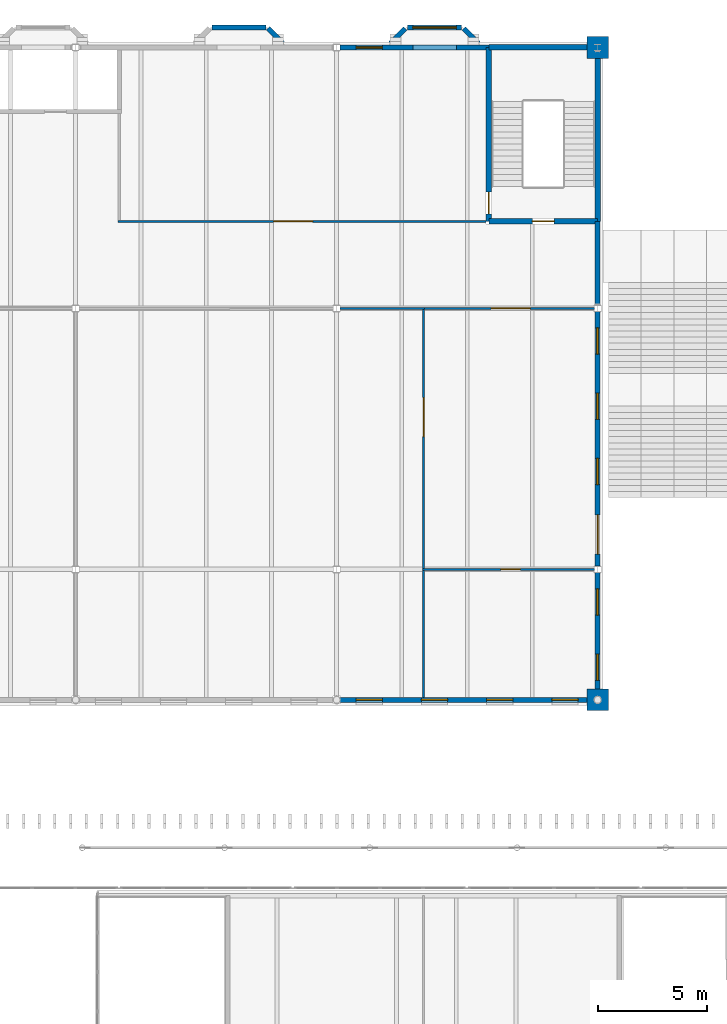
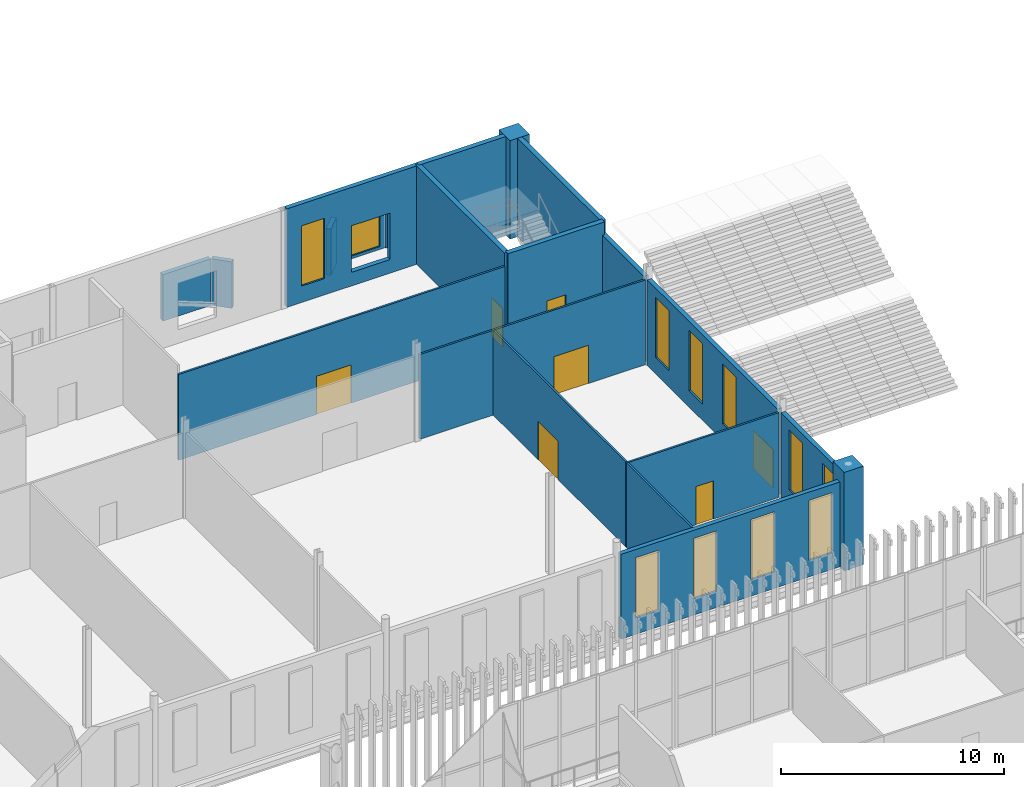
# One storey, part 113 of 170: 22 walls, 11 windows, 7 doors, 19 openings.
"""IFC4 building model written with IfcOpenShell, lengths in metres."""

from ifc_helpers import new_model, si_unit, direction, frame, frame_2d, origin, place, context, subcontext, project, spatial, rectangle, extrude, material, layer, layer_set, type_object, element, fill, save


model = new_model("IFC4")

# Units and contexts
model_context = context("Model", 3, precision=1e-05, world=origin(), true_north=direction((0.0, 1.0)))
body_context = subcontext(model_context, "Body", "Model", "MODEL_VIEW")
ifc_project = project(units=[si_unit("LENGTHUNIT", "METRE"), si_unit("AREAUNIT", "SQUARE_METRE"), si_unit("VOLUMEUNIT", "CUBIC_METRE"), si_unit("PLANEANGLEUNIT", "RADIAN"), si_unit("MASSUNIT", "GRAM", prefix="KILO")], contexts=[model_context])

# Site, building, storey
site_placement = place(None, origin())
site = spatial("IfcSite", under=ifc_project, at=site_placement, CompositionType="ELEMENT")
building_placement = place(site_placement, origin())
building = spatial("IfcBuilding", under=site, at=building_placement, Name="Ravi Spectrum Wholesale Market", CompositionType="ELEMENT")
storey_placement = place(building_placement, frame((0.0, 0.0, 5.39990234375)))
storey = spatial("IfcBuildingStorey", under=building, at=storey_placement, Name="L01", CompositionType="ELEMENT", Elevation=5.39990234375)

# Wall, openings, windows
ifc_material_1 = material(Name="Facing brickwork", Category="masonry")
ifc_layer_1 = layer(ifc_material_1, 0.22998046875)
ifc_layer_set_1 = layer_set([ifc_layer_1], Name="Facing brickwork")
wall_type_1 = type_object("IfcWallType", Name="Brick 230 facing", PredefinedType="SOLIDWALL", material=ifc_layer_set_1)
wall_1_placement = place(storey_placement, frame((48.14990234375, 204.0, 0.0), z_axis=(0.0, 0.0, 1.0), x_axis=(1.0, 0.0, 0.0)))
wall_1 = element("IfcWall", 1, at=wall_1_placement, inside=storey, type_object=wall_type_1, Name="OF-WL-L01-012", PredefinedType="SOLIDWALL", context=body_context, shape_type="SweptSolid", body=[
    extrude(rectangle(XDim=11.35009765625, YDim=0.22998046875, at=frame_2d((5.675048828125, 0.0))), origin(), (0.0, 0.0, 1.0), 4.650146484375),
])
opening_1_placement = place(wall_1_placement, frame((0.75, 0.0, 0.89990234375)))
opening_1 = element("IfcOpeningElement", 2, at=opening_1_placement, cuts=wall_1, Name="Opening W3233", PredefinedType="OPENING", context=body_context, shape_type="SweptSolid", body=[
    extrude(rectangle(XDim=1.199951171875, YDim=3.300048828125, at=frame_2d((0.60009765625, 1.64990234375))), frame((0.0, 0.125, 0.0), z_axis=(0.0, -1.0, 0.0), x_axis=(1.0, 0.0, 0.0)), (0.0, 0.0, 1.0), 0.25),
])
opening_2_placement = place(wall_1_placement, frame((3.75, 0.0, 0.89990234375)))
opening_2 = element("IfcOpeningElement", 3, at=opening_2_placement, cuts=wall_1, Name="Opening W3234", PredefinedType="OPENING", context=body_context, shape_type="SweptSolid", body=[
    extrude(rectangle(XDim=1.199951171875, YDim=3.300048828125, at=frame_2d((0.60009765625, 1.64990234375))), frame((0.0, 0.125, 0.0), z_axis=(0.0, -1.0, 0.0), x_axis=(1.0, 0.0, 0.0)), (0.0, 0.0, 1.0), 0.25),
])
opening_3_placement = place(wall_1_placement, frame((6.75, 0.0, 0.89990234375)))
opening_3 = element("IfcOpeningElement", 4, at=opening_3_placement, cuts=wall_1, Name="Opening W3235", PredefinedType="OPENING", context=body_context, shape_type="SweptSolid", body=[
    extrude(rectangle(XDim=1.199951171875, YDim=3.300048828125, at=frame_2d((0.60009765625, 1.64990234375))), frame((0.0, 0.125, 0.0), z_axis=(0.0, -1.0, 0.0), x_axis=(1.0, 0.0, 0.0)), (0.0, 0.0, 1.0), 0.25),
])
opening_4_placement = place(wall_1_placement, frame((9.75, 0.0, 0.89990234375)))
opening_4 = element("IfcOpeningElement", 5, at=opening_4_placement, cuts=wall_1, Name="Opening W3236", PredefinedType="OPENING", context=body_context, shape_type="SweptSolid", body=[
    extrude(rectangle(XDim=1.199951171875, YDim=3.300048828125, at=frame_2d((0.60009765625, 1.64990234375))), frame((0.0, 0.125, 0.0), z_axis=(0.0, -1.0, 0.0), x_axis=(1.0, 0.0, 0.0)), (0.0, 0.0, 1.0), 0.25),
])
ifc_material_2 = material(Name="Steel window frame", Category="steel")
window_type_1 = type_object("IfcWindowType", Name="Tall pier window with jali 1200 x 3300", PartitioningType="SINGLE_PANEL", PredefinedType="WINDOW", material=ifc_material_2)
window_1_placement = place(opening_1_placement, origin())
window_1 = element("IfcWindow", 6, at=window_1_placement, inside=storey, type_object=window_type_1, Name="Window W3233", OverallHeight=3.300048828125, OverallWidth=1.199951171875, PartitioningType="SINGLE_PANEL", PredefinedType="WINDOW", context=body_context, shape_type="SweptSolid", body=[
    extrude(rectangle(XDim=1.199951171875, YDim=3.300048828125, at=frame_2d((0.60009765625, 1.64990234375))), frame((0.0, 0.030029296875, 0.0), z_axis=(0.0, -1.0, 0.0), x_axis=(1.0, 0.0, 0.0)), (0.0, 0.0, 1.0), 0.06005859375),
])
fill(opening_1, window_1)
window_2_placement = place(opening_2_placement, origin())
window_2 = element("IfcWindow", 7, at=window_2_placement, inside=storey, type_object=window_type_1, Name="Window W3234", OverallHeight=3.300048828125, OverallWidth=1.199951171875, PartitioningType="SINGLE_PANEL", PredefinedType="WINDOW", context=body_context, shape_type="SweptSolid", body=[
    extrude(rectangle(XDim=1.199951171875, YDim=3.300048828125, at=frame_2d((0.60009765625, 1.64990234375))), frame((0.0, 0.030029296875, 0.0), z_axis=(0.0, -1.0, 0.0), x_axis=(1.0, 0.0, 0.0)), (0.0, 0.0, 1.0), 0.06005859375),
])
fill(opening_2, window_2)
window_3_placement = place(opening_3_placement, origin())
window_3 = element("IfcWindow", 8, at=window_3_placement, inside=storey, type_object=window_type_1, Name="Window W3235", OverallHeight=3.300048828125, OverallWidth=1.199951171875, PartitioningType="SINGLE_PANEL", PredefinedType="WINDOW", context=body_context, shape_type="SweptSolid", body=[
    extrude(rectangle(XDim=1.199951171875, YDim=3.300048828125, at=frame_2d((0.60009765625, 1.64990234375))), frame((0.0, 0.030029296875, 0.0), z_axis=(0.0, -1.0, 0.0), x_axis=(1.0, 0.0, 0.0)), (0.0, 0.0, 1.0), 0.06005859375),
])
fill(opening_3, window_3)
window_4_placement = place(opening_4_placement, origin())
window_4 = element("IfcWindow", 9, at=window_4_placement, inside=storey, type_object=window_type_1, Name="Window W3236", OverallHeight=3.300048828125, OverallWidth=1.199951171875, PartitioningType="SINGLE_PANEL", PredefinedType="WINDOW", context=body_context, shape_type="SweptSolid", body=[
    extrude(rectangle(XDim=1.199951171875, YDim=3.300048828125, at=frame_2d((0.60009765625, 1.64990234375))), frame((0.0, 0.030029296875, 0.0), z_axis=(0.0, -1.0, 0.0), x_axis=(1.0, 0.0, 0.0)), (0.0, 0.0, 1.0), 0.06005859375),
])
fill(opening_4, window_4)

# Wall, openings, window
wall_2_placement = place(storey_placement, frame((48.14990234375, 234.0, 0.0), z_axis=(0.0, 0.0, 1.0), x_axis=(1.0, 0.0, 0.0)))
wall_2 = element("IfcWall", 10, at=wall_2_placement, inside=storey, type_object=wall_type_1, Name="OF-WL-L01-017", PredefinedType="SOLIDWALL", context=body_context, shape_type="SweptSolid", body=[
    extrude(rectangle(XDim=6.85009765625, YDim=0.22998046875, at=frame_2d((3.425048828125, 0.0))), origin(), (0.0, 0.0, 1.0), 5.400146484375),
])
opening_5_placement = place(wall_2_placement, frame((0.75, 0.0, 0.89990234375)))
opening_5 = element("IfcOpeningElement", 11, at=opening_5_placement, cuts=wall_2, Name="Opening W3239", PredefinedType="OPENING", context=body_context, shape_type="SweptSolid", body=[
    extrude(rectangle(XDim=1.199951171875, YDim=3.300048828125, at=frame_2d((0.60009765625, 1.64990234375))), frame((0.0, 0.125, 0.0), z_axis=(0.0, -1.0, 0.0), x_axis=(1.0, 0.0, 0.0)), (0.0, 0.0, 1.0), 0.25),
])
opening_6_placement = place(wall_2_placement, frame((3.35009765625, 0.0, 0.75)))
element("IfcOpeningElement", 12, at=opening_6_placement, cuts=wall_2, Name="Opening OF-OP-L01-004", PredefinedType="OPENING", context=body_context, shape_type="SweptSolid", body=[
    extrude(rectangle(XDim=2.0, YDim=2.550048828125, at=frame_2d((1.0, 1.27490234375))), frame((0.0, 0.125, 0.0), z_axis=(0.0, -1.0, 0.0), x_axis=(1.0, 0.0, 0.0)), (0.0, 0.0, 1.0), 0.25),
])
ifc_material_3 = material(Name="Steel window frame", Category="steel")
window_type_2 = type_object("IfcWindowType", Name="Tall pier window 1200 x 3300", PartitioningType="SINGLE_PANEL", PredefinedType="WINDOW", material=ifc_material_3)
window_5_placement = place(opening_5_placement, origin())
window_5 = element("IfcWindow", 13, at=window_5_placement, inside=storey, type_object=window_type_2, Name="Window W3239", OverallHeight=3.300048828125, OverallWidth=1.199951171875, PartitioningType="SINGLE_PANEL", PredefinedType="WINDOW", context=body_context, shape_type="SweptSolid", body=[
    extrude(rectangle(XDim=1.199951171875, YDim=3.300048828125, at=frame_2d((0.60009765625, 1.64990234375))), frame((0.0, 0.030029296875, 0.0), z_axis=(0.0, -1.0, 0.0), x_axis=(1.0, 0.0, 0.0)), (0.0, 0.0, 1.0), 0.06005859375),
])
fill(opening_5, window_5)

# Wall, openings, windows
wall_3_placement = place(storey_placement, frame((60.0, 204.5, 0.0), z_axis=(0.0, 0.0, 1.0), x_axis=(0.0, 1.0, 0.0)))
wall_3 = element("IfcWall", 14, at=wall_3_placement, inside=storey, type_object=wall_type_1, Name="OF-WL-L01-021", PredefinedType="SOLIDWALL", context=body_context, shape_type="SweptSolid", body=[
    extrude(rectangle(XDim=5.35009765625, YDim=0.22998046875, at=frame_2d((2.675048828125, 0.0))), origin(), (0.0, 0.0, 1.0), 4.7001953125),
])
opening_7_placement = place(wall_3_placement, frame((0.39990234375, 0.0, 0.89990234375)))
opening_7 = element("IfcOpeningElement", 15, at=opening_7_placement, cuts=wall_3, Name="Opening W3248", PredefinedType="OPENING", context=body_context, shape_type="SweptSolid", body=[
    extrude(rectangle(XDim=1.199951171875, YDim=3.300048828125, at=frame_2d((0.60009765625, 1.64990234375))), frame((0.0, 0.125, 0.0), z_axis=(0.0, -1.0, 0.0), x_axis=(1.0, 0.0, 0.0)), (0.0, 0.0, 1.0), 0.25),
])
opening_8_placement = place(wall_3_placement, frame((3.39990234375, 0.0, 0.89990234375)))
opening_8 = element("IfcOpeningElement", 16, at=opening_8_placement, cuts=wall_3, Name="Opening W3249", PredefinedType="OPENING", context=body_context, shape_type="SweptSolid", body=[
    extrude(rectangle(XDim=1.199951171875, YDim=3.300048828125, at=frame_2d((0.60009765625, 1.64990234375))), frame((0.0, 0.125, 0.0), z_axis=(0.0, -1.0, 0.0), x_axis=(1.0, 0.0, 0.0)), (0.0, 0.0, 1.0), 0.25),
])
window_6_placement = place(opening_7_placement, origin())
window_6 = element("IfcWindow", 17, at=window_6_placement, inside=storey, type_object=window_type_2, Name="Window W3248", OverallHeight=3.300048828125, OverallWidth=1.199951171875, PartitioningType="SINGLE_PANEL", PredefinedType="WINDOW", context=body_context, shape_type="SweptSolid", body=[
    extrude(rectangle(XDim=1.199951171875, YDim=3.300048828125, at=frame_2d((0.60009765625, 1.64990234375))), frame((0.0, 0.030029296875, 0.0), z_axis=(0.0, -1.0, 0.0), x_axis=(1.0, 0.0, 0.0)), (0.0, 0.0, 1.0), 0.06005859375),
])
fill(opening_7, window_6)
window_7_placement = place(opening_8_placement, origin())
window_7 = element("IfcWindow", 18, at=window_7_placement, inside=storey, type_object=window_type_2, Name="Window W3249", OverallHeight=3.300048828125, OverallWidth=1.199951171875, PartitioningType="SINGLE_PANEL", PredefinedType="WINDOW", context=body_context, shape_type="SweptSolid", body=[
    extrude(rectangle(XDim=1.199951171875, YDim=3.300048828125, at=frame_2d((0.60009765625, 1.64990234375))), frame((0.0, 0.030029296875, 0.0), z_axis=(0.0, -1.0, 0.0), x_axis=(1.0, 0.0, 0.0)), (0.0, 0.0, 1.0), 0.06005859375),
])
fill(opening_8, window_7)

# Wall, openings, door, windows
wall_4_placement = place(storey_placement, frame((60.0, 210.14990234375, 0.0), z_axis=(0.0, 0.0, 1.0), x_axis=(0.0, 1.0, 0.0)))
wall_4 = element("IfcWall", 19, at=wall_4_placement, inside=storey, type_object=wall_type_1, Name="OF-WL-L01-022", PredefinedType="SOLIDWALL", context=body_context, shape_type="SweptSolid", body=[
    extrude(rectangle(XDim=11.7001953125, YDim=0.22998046875, at=frame_2d((5.85009765625, 0.0))), origin(), (0.0, 0.0, 1.0), 4.7001953125),
])
opening_9_placement = place(wall_4_placement, frame((2.35009765625, 0.0, 0.0), z_axis=(0.0, 0.0, 1.0), x_axis=(-1.0, 0.0, 0.0)))
opening_9 = element("IfcOpeningElement", 20, at=opening_9_placement, cuts=wall_4, Name="Opening D621", PredefinedType="OPENING", context=body_context, shape_type="SweptSolid", body=[
    extrude(rectangle(XDim=1.800048828125, YDim=2.10009765625, at=frame_2d((0.89990234375, 1.050048828125))), frame((0.0, 0.125, 0.0), z_axis=(0.0, -1.0, 0.0), x_axis=(1.0, 0.0, 0.0)), (0.0, 0.0, 1.0), 0.25),
])
opening_10_placement = place(wall_4_placement, frame((3.75, 0.0, 0.89990234375)))
opening_10 = element("IfcOpeningElement", 21, at=opening_10_placement, cuts=wall_4, Name="Opening W3250", PredefinedType="OPENING", context=body_context, shape_type="SweptSolid", body=[
    extrude(rectangle(XDim=1.199951171875, YDim=3.300048828125, at=frame_2d((0.60009765625, 1.64990234375))), frame((0.0, 0.125, 0.0), z_axis=(0.0, -1.0, 0.0), x_axis=(1.0, 0.0, 0.0)), (0.0, 0.0, 1.0), 0.25),
])
opening_11_placement = place(wall_4_placement, frame((6.75, 0.0, 0.89990234375)))
opening_11 = element("IfcOpeningElement", 22, at=opening_11_placement, cuts=wall_4, Name="Opening W3251", PredefinedType="OPENING", context=body_context, shape_type="SweptSolid", body=[
    extrude(rectangle(XDim=1.199951171875, YDim=3.300048828125, at=frame_2d((0.60009765625, 1.64990234375))), frame((0.0, 0.125, 0.0), z_axis=(0.0, -1.0, 0.0), x_axis=(1.0, 0.0, 0.0)), (0.0, 0.0, 1.0), 0.25),
])
opening_12_placement = place(wall_4_placement, frame((9.75, 0.0, 0.89990234375)))
opening_12 = element("IfcOpeningElement", 23, at=opening_12_placement, cuts=wall_4, Name="Opening W3252", PredefinedType="OPENING", context=body_context, shape_type="SweptSolid", body=[
    extrude(rectangle(XDim=1.199951171875, YDim=3.300048828125, at=frame_2d((0.60009765625, 1.64990234375))), frame((0.0, 0.125, 0.0), z_axis=(0.0, -1.0, 0.0), x_axis=(1.0, 0.0, 0.0)), (0.0, 0.0, 1.0), 0.25),
])
ifc_material_4 = material(Name="Steel door", Category="steel")
door_type_1 = type_object("IfcDoorType", Name="Double leaf door 1800 x 2100", OperationType="DOUBLE_DOOR_SINGLE_SWING", PredefinedType="DOOR", material=ifc_material_4)
door_1_placement = place(opening_9_placement, origin())
door_1 = element("IfcDoor", 24, at=door_1_placement, inside=storey, type_object=door_type_1, Name="Door D621", OperationType="DOUBLE_DOOR_SINGLE_SWING", OverallHeight=2.10009765625, OverallWidth=1.800048828125, PredefinedType="DOOR", context=body_context, shape_type="SweptSolid", body=[
    extrude(rectangle(XDim=1.800048828125, YDim=2.10009765625, at=frame_2d((0.89990234375, 1.050048828125))), frame((0.0, 0.02490234375, 0.0), z_axis=(0.0, -1.0, 0.0), x_axis=(1.0, 0.0, 0.0)), (0.0, 0.0, 1.0), 0.050048828125),
])
fill(opening_9, door_1)
window_8_placement = place(opening_10_placement, origin())
window_8 = element("IfcWindow", 25, at=window_8_placement, inside=storey, type_object=window_type_2, Name="Window W3250", OverallHeight=3.300048828125, OverallWidth=1.199951171875, PartitioningType="SINGLE_PANEL", PredefinedType="WINDOW", context=body_context, shape_type="SweptSolid", body=[
    extrude(rectangle(XDim=1.199951171875, YDim=3.300048828125, at=frame_2d((0.60009765625, 1.64990234375))), frame((0.0, 0.030029296875, 0.0), z_axis=(0.0, -1.0, 0.0), x_axis=(1.0, 0.0, 0.0)), (0.0, 0.0, 1.0), 0.06005859375),
])
fill(opening_10, window_8)
window_9_placement = place(opening_11_placement, origin())
window_9 = element("IfcWindow", 26, at=window_9_placement, inside=storey, type_object=window_type_2, Name="Window W3251", OverallHeight=3.300048828125, OverallWidth=1.199951171875, PartitioningType="SINGLE_PANEL", PredefinedType="WINDOW", context=body_context, shape_type="SweptSolid", body=[
    extrude(rectangle(XDim=1.199951171875, YDim=3.300048828125, at=frame_2d((0.60009765625, 1.64990234375))), frame((0.0, 0.030029296875, 0.0), z_axis=(0.0, -1.0, 0.0), x_axis=(1.0, 0.0, 0.0)), (0.0, 0.0, 1.0), 0.06005859375),
])
fill(opening_11, window_9)
window_10_placement = place(opening_12_placement, origin())
window_10 = element("IfcWindow", 27, at=window_10_placement, inside=storey, type_object=window_type_2, Name="Window W3252", OverallHeight=3.300048828125, OverallWidth=1.199951171875, PartitioningType="SINGLE_PANEL", PredefinedType="WINDOW", context=body_context, shape_type="SweptSolid", body=[
    extrude(rectangle(XDim=1.199951171875, YDim=3.300048828125, at=frame_2d((0.60009765625, 1.64990234375))), frame((0.0, 0.030029296875, 0.0), z_axis=(0.0, -1.0, 0.0), x_axis=(1.0, 0.0, 0.0)), (0.0, 0.0, 1.0), 0.06005859375),
])
fill(opening_12, window_10)

# Walls
wall_5_placement = place(storey_placement, frame((60.0, 222.14990234375, 0.0), z_axis=(0.0, 0.0, 1.0), x_axis=(0.0, 1.0, 0.0)))
element("IfcWall", 28, at=wall_5_placement, inside=storey, type_object=wall_type_1, Name="OF-WL-L01-023", PredefinedType="SOLIDWALL", context=body_context, shape_type="SweptSolid", body=[
    extrude(rectangle(XDim=3.85009765625, YDim=0.22998046875, at=frame_2d((1.925048828125, 0.0))), origin(), (0.0, 0.0, 1.0), 4.7001953125),
])
wall_6_placement = place(storey_placement, frame((42.260009765625, 234.9150390625, 0.75), z_axis=(0.0, 0.0, 1.0), x_axis=(1.0, 0.0, 0.0)))
element("IfcWall", 29, at=wall_6_placement, inside=storey, type_object=wall_type_1, Name="Oriel wall", PredefinedType="SOLIDWALL", context=body_context, shape_type="SweptSolid", body=[
    extrude(rectangle(XDim=2.47998046875, YDim=0.22998046875, at=frame_2d((1.239990234375, 0.0))), origin(), (0.0, 0.0, 1.0), 2.550048828125),
])
for number, where, z_axis, x_axis, name in (
    (30, (44.842529296875, 234.87255859375, 0.75), (0.0, 0.0, 1.0), (0.707106781187, -0.707106781187, 0.0), "Oriel wall"),
    (31, (50.481201171875, 234.1962890625, 0.75), (0.0, 0.0, 1.0), (0.707106781187, 0.707106781187, 0.0), "Oriel wall"),
):
    element("IfcWall", number, at=place(storey_placement, frame(where, z_axis=z_axis, x_axis=x_axis)), inside=storey, type_object=wall_type_1, Name=name, PredefinedType="SOLIDWALL", context=body_context, shape_type="SweptSolid", body=[
        extrude(rectangle(XDim=0.956298828125, YDim=0.22998046875, at=frame_2d((0.47802734375, 0.0))), origin(), (0.0, 0.0, 1.0), 2.550048828125),
    ])

# Wall, opening, window
wall_7_placement = place(storey_placement, frame((51.260009765625, 234.9150390625, 0.75), z_axis=(0.0, 0.0, 1.0), x_axis=(1.0, 0.0, 0.0)))
wall_7 = element("IfcWall", 32, at=wall_7_placement, inside=storey, type_object=wall_type_1, Name="Oriel wall", PredefinedType="SOLIDWALL", context=body_context, shape_type="SweptSolid", body=[
    extrude(rectangle(XDim=2.47998046875, YDim=0.22998046875, at=frame_2d((1.239990234375, 0.0))), origin(), (0.0, 0.0, 1.0), 2.550048828125),
])
opening_13_placement = place(wall_7_placement, frame((0.239990234375, 0.0, 0.14990234375)))
opening_13 = element("IfcOpeningElement", 33, at=opening_13_placement, cuts=wall_7, Name="Opening W3243", PredefinedType="OPENING", context=body_context, shape_type="SweptSolid", body=[
    extrude(rectangle(XDim=2.0, YDim=2.10009765625, at=frame_2d((1.0, 1.050048828125))), frame((0.0, 0.125, 0.0), z_axis=(0.0, -1.0, 0.0), x_axis=(1.0, 0.0, 0.0)), (0.0, 0.0, 1.0), 0.25),
])
ifc_material_5 = material(Name="Steel window frame", Category="steel")
window_type_3 = type_object("IfcWindowType", Name="Oriel window 2000 x 2100", PartitioningType="SINGLE_PANEL", PredefinedType="WINDOW", material=ifc_material_5)
window_11_placement = place(opening_13_placement, origin())
window_11 = element("IfcWindow", 34, at=window_11_placement, inside=storey, type_object=window_type_3, Name="Window W3243", OverallHeight=2.10009765625, OverallWidth=2.0, PartitioningType="SINGLE_PANEL", PredefinedType="WINDOW", context=body_context, shape_type="SweptSolid", body=[
    extrude(rectangle(XDim=2.0, YDim=2.10009765625, at=frame_2d((1.0, 1.050048828125))), frame((0.0, 0.030029296875, 0.0), z_axis=(0.0, -1.0, 0.0), x_axis=(1.0, 0.0, 0.0)), (0.0, 0.0, 1.0), 0.06005859375),
])
fill(opening_13, window_11)

# Walls
wall_8_placement = place(storey_placement, frame((53.842529296875, 234.87255859375, 0.75), z_axis=(0.0, 0.0, 1.0), x_axis=(0.707106781187, -0.707106781187, 0.0)))
element("IfcWall", 35, at=wall_8_placement, inside=storey, type_object=wall_type_1, Name="Oriel wall", PredefinedType="SOLIDWALL", context=body_context, shape_type="SweptSolid", body=[
    extrude(rectangle(XDim=0.956298828125, YDim=0.22998046875, at=frame_2d((0.47802734375, 0.0))), origin(), (0.0, 0.0, 1.0), 2.550048828125),
])
ifc_material_6 = material(Name="Clinker brickwork", Category="masonry")
ifc_layer_2 = layer(ifc_material_6, 1.0)
ifc_layer_set_2 = layer_set([ifc_layer_2], Name="Clinker brickwork")
wall_type_2 = type_object("IfcWallType", Name="Brick corner pier 1000", PredefinedType="SOLIDWALL", material=ifc_layer_set_2)
for number, where, z_axis, x_axis, name in (
    (36, (59.5, 204.0, 0.0), (0.0, 0.0, 1.0), (1.0, 0.0, 0.0), "Corner pier"),
    (37, (59.5, 234.0, 0.0), (0.0, 0.0, 1.0), (1.0, 0.0, 0.0), "Corner pier"),
):
    element("IfcWall", number, at=place(storey_placement, frame(where, z_axis=z_axis, x_axis=x_axis)), inside=storey, type_object=wall_type_2, Name=name, PredefinedType="SOLIDWALL", context=body_context, shape_type="SweptSolid", body=[
        extrude(rectangle(XDim=1.0, YDim=1.0, at=frame_2d((0.5, 0.0))), origin(), (0.0, 0.0, 1.0), 5.400146484375),
    ])

# Wall, opening, door
ifc_material_7 = material(Name="Concrete C35/45", Category="concrete")
ifc_layer_3 = layer(ifc_material_7, 0.25)
ifc_layer_set_3 = layer_set([ifc_layer_3], Name="Concrete C35/45")
wall_type_3 = type_object("IfcWallType", Name="Concrete core wall 250", PredefinedType="SHEAR", material=ifc_layer_set_3)
wall_9_placement = place(storey_placement, frame((55.0, 226.0, 0.0), z_axis=(0.0, 0.0, 1.0), x_axis=(1.0, 0.0, 0.0)))
wall_9 = element("IfcWall", 38, at=wall_9_placement, inside=storey, type_object=wall_type_3, Name="Stair core wall Stair S-OF-2", PredefinedType="SHEAR", context=body_context, shape_type="SweptSolid", body=[
    extrude(rectangle(XDim=5.0, YDim=0.25, at=frame_2d((2.5, 0.0))), origin(), (0.0, 0.0, 1.0), 5.400146484375),
])
opening_14_placement = place(wall_9_placement, frame((2.0, 0.0, 0.0)))
opening_14 = element("IfcOpeningElement", 39, at=opening_14_placement, cuts=wall_9, Name="Opening D627", PredefinedType="OPENING", context=body_context, shape_type="SweptSolid", body=[
    extrude(rectangle(XDim=1.0, YDim=2.10009765625, at=frame_2d((0.5, 1.050048828125))), frame((0.0, 0.135009765625, 0.0), z_axis=(0.0, -1.0, 0.0), x_axis=(1.0, 0.0, 0.0)), (0.0, 0.0, 1.0), 0.27001953125),
])
ifc_material_8 = material(Name="Steel door", Category="steel")
door_type_2 = type_object("IfcDoorType", Name="Stair door 1000 x 2100", OperationType="SINGLE_SWING_LEFT", PredefinedType="DOOR", material=ifc_material_8)
door_2_placement = place(opening_14_placement, origin())
door_2 = element("IfcDoor", 40, at=door_2_placement, inside=storey, type_object=door_type_2, Name="Door D627", OperationType="SINGLE_SWING_RIGHT", OverallHeight=2.10009765625, OverallWidth=1.0, PredefinedType="DOOR", context=body_context, shape_type="SweptSolid", body=[
    extrude(rectangle(XDim=1.0, YDim=2.10009765625, at=frame_2d((0.5, 1.050048828125))), frame((0.0, 0.02490234375, 0.0), z_axis=(0.0, -1.0, 0.0), x_axis=(1.0, 0.0, 0.0)), (0.0, 0.0, 1.0), 0.050048828125),
])
fill(opening_14, door_2)

# Walls
wall_10_placement = place(storey_placement, frame((60.0, 226.0, 0.0), z_axis=(0.0, 0.0, 1.0), x_axis=(0.0, 1.0, 0.0)))
element("IfcWall", 41, at=wall_10_placement, inside=storey, type_object=wall_type_3, Name="Stair core wall Stair S-OF-2", PredefinedType="SHEAR", context=body_context, shape_type="SweptSolid", body=[
    extrude(rectangle(XDim=7.5, YDim=0.25, at=frame_2d((3.75, 0.0))), origin(), (0.0, 0.0, 1.0), 5.400146484375),
])
wall_11_placement = place(storey_placement, frame((55.0, 234.0, 0.0), z_axis=(0.0, 0.0, 1.0), x_axis=(1.0, 0.0, 0.0)))
element("IfcWall", 42, at=wall_11_placement, inside=storey, type_object=wall_type_3, Name="Stair core wall Stair S-OF-2", PredefinedType="SHEAR", context=body_context, shape_type="SweptSolid", body=[
    extrude(rectangle(XDim=4.5, YDim=0.25, at=frame_2d((2.25, 0.0))), origin(), (0.0, 0.0, 1.0), 5.400146484375),
])

# Wall, opening, door
wall_12_placement = place(storey_placement, frame((55.0, 226.0, 0.0), z_axis=(0.0, 0.0, 1.0), x_axis=(0.0, 1.0, 0.0)))
wall_12 = element("IfcWall", 43, at=wall_12_placement, inside=storey, type_object=wall_type_3, Name="Stair core wall Stair S-OF-2", PredefinedType="SHEAR", context=body_context, shape_type="SweptSolid", body=[
    extrude(rectangle(XDim=8.0, YDim=0.25, at=frame_2d((4.0, 0.0))), origin(), (0.0, 0.0, 1.0), 5.400146484375),
])
opening_15_placement = place(wall_12_placement, frame((0.35009765625, 0.0, 0.0)))
opening_15 = element("IfcOpeningElement", 44, at=opening_15_placement, cuts=wall_12, Name="Opening D625", PredefinedType="OPENING", context=body_context, shape_type="SweptSolid", body=[
    extrude(rectangle(XDim=1.0, YDim=2.10009765625, at=frame_2d((0.5, 1.050048828125))), frame((0.0, 0.135009765625, 0.0), z_axis=(0.0, -1.0, 0.0), x_axis=(1.0, 0.0, 0.0)), (0.0, 0.0, 1.0), 0.27001953125),
])
door_3_placement = place(opening_15_placement, origin())
door_3 = element("IfcDoor", 45, at=door_3_placement, inside=storey, type_object=door_type_2, Name="Door D625", OperationType="SINGLE_SWING_RIGHT", OverallHeight=2.10009765625, OverallWidth=1.0, PredefinedType="DOOR", context=body_context, shape_type="SweptSolid", body=[
    extrude(rectangle(XDim=1.0, YDim=2.10009765625, at=frame_2d((0.5, 1.050048828125))), frame((0.0, 0.02490234375, 0.0), z_axis=(0.0, -1.0, 0.0), x_axis=(1.0, 0.0, 0.0)), (0.0, 0.0, 1.0), 0.050048828125),
])
fill(opening_15, door_3)

ifc_material_9 = material(Name="Gypsum board partition")
ifc_layer_4 = layer(ifc_material_9, 0.10009765625)
ifc_layer_set_4 = layer_set([ifc_layer_4], Name="Gypsum board partition")
wall_type_4 = type_object("IfcWallType", Name="Drywall partition 100", PredefinedType="PARTITIONING", material=ifc_layer_set_4)
wall_13_placement = place(storey_placement, frame((51.949951171875, 210.0, 0.0), z_axis=(0.0, 0.0, 1.0), x_axis=(1.0, 0.0, 0.0)))
wall_13 = element("IfcWall", 46, at=wall_13_placement, inside=storey, type_object=wall_type_4, Name="OF-WL-L01-082", PredefinedType="PARTITIONING", context=body_context, shape_type="SweptSolid", body=[
    extrude(rectangle(XDim=7.900146484375, YDim=0.10009765625, at=frame_2d((3.9501953125, 0.0))), origin(), (0.0, 0.0, 1.0), 4.650146484375),
])
opening_16_placement = place(wall_13_placement, frame((3.60009765625, 0.0, 0.0)))
opening_16 = element("IfcOpeningElement", 47, at=opening_16_placement, cuts=wall_13, Name="Opening D619", PredefinedType="OPENING", context=body_context, shape_type="SweptSolid", body=[
    extrude(rectangle(XDim=0.89990234375, YDim=2.10009765625, at=frame_2d((0.449951171875, 1.050048828125))), frame((0.0, 0.06005859375, 0.0), z_axis=(0.0, -1.0, 0.0), x_axis=(1.0, 0.0, 0.0)), (0.0, 0.0, 1.0), 0.1201171875),
])
ifc_material_10 = material(Name="Timber door", Category="wood")
door_type_3 = type_object("IfcDoorType", Name="Office door 900 x 2100", OperationType="SINGLE_SWING_LEFT", PredefinedType="DOOR", material=ifc_material_10)
door_4_placement = place(opening_16_placement, origin())
door_4 = element("IfcDoor", 48, at=door_4_placement, inside=storey, type_object=door_type_3, Name="Door D619", OperationType="SINGLE_SWING_RIGHT", OverallHeight=2.10009765625, OverallWidth=0.89990234375, PredefinedType="DOOR", context=body_context, shape_type="SweptSolid", body=[
    extrude(rectangle(XDim=0.89990234375, YDim=2.10009765625, at=frame_2d((0.449951171875, 1.050048828125))), frame((0.0, 0.02490234375, 0.0), z_axis=(0.0, -1.0, 0.0), x_axis=(1.0, 0.0, 0.0)), (0.0, 0.0, 1.0), 0.050048828125),
])
fill(opening_16, door_4)

# Wall
wall_14_placement = place(storey_placement, frame((48.14990234375, 222.0, 0.0), z_axis=(0.0, 0.0, 1.0), x_axis=(1.0, 0.0, 0.0)))
element("IfcWall", 49, at=wall_14_placement, inside=storey, type_object=wall_type_4, Name="OF-WL-L01-088", PredefinedType="PARTITIONING", context=body_context, shape_type="SweptSolid", body=[
    extrude(rectangle(XDim=3.900146484375, YDim=0.10009765625, at=frame_2d((1.9501953125, 0.0))), origin(), (0.0, 0.0, 1.0), 4.650146484375),
])

# Wall, opening, door
wall_15_placement = place(storey_placement, frame((52.050048828125, 222.0, 0.0), z_axis=(0.0, 0.0, 1.0), x_axis=(1.0, 0.0, 0.0)))
wall_15 = element("IfcWall", 50, at=wall_15_placement, inside=storey, type_object=wall_type_4, Name="OF-WL-L01-089", PredefinedType="PARTITIONING", context=body_context, shape_type="SweptSolid", body=[
    extrude(rectangle(XDim=7.800048828125, YDim=0.10009765625, at=frame_2d((3.89990234375, 0.0))), origin(), (0.0, 0.0, 1.0), 4.650146484375),
])
opening_17_placement = place(wall_15_placement, frame((3.050048828125, 0.0, 0.0)))
opening_17 = element("IfcOpeningElement", 51, at=opening_17_placement, cuts=wall_15, Name="Opening D620", PredefinedType="OPENING", context=body_context, shape_type="SweptSolid", body=[
    extrude(rectangle(XDim=1.800048828125, YDim=2.10009765625, at=frame_2d((0.89990234375, 1.050048828125))), frame((0.0, 0.06005859375, 0.0), z_axis=(0.0, -1.0, 0.0), x_axis=(1.0, 0.0, 0.0)), (0.0, 0.0, 1.0), 0.1201171875),
])
door_5_placement = place(opening_17_placement, origin())
door_5 = element("IfcDoor", 52, at=door_5_placement, inside=storey, type_object=door_type_1, Name="Door D620", OperationType="DOUBLE_DOOR_SINGLE_SWING", OverallHeight=2.10009765625, OverallWidth=1.800048828125, PredefinedType="DOOR", context=body_context, shape_type="SweptSolid", body=[
    extrude(rectangle(XDim=1.800048828125, YDim=2.10009765625, at=frame_2d((0.89990234375, 1.050048828125))), frame((0.0, 0.02490234375, 0.0), z_axis=(0.0, -1.0, 0.0), x_axis=(1.0, 0.0, 0.0)), (0.0, 0.0, 1.0), 0.050048828125),
])
fill(opening_17, door_5)

wall_16_placement = place(storey_placement, frame((37.949951171875, 226.0, 0.0), z_axis=(0.0, 0.0, 1.0), x_axis=(1.0, 0.0, 0.0)))
wall_16 = element("IfcWall", 53, at=wall_16_placement, inside=storey, type_object=wall_type_4, Name="OF-WL-L01-091", PredefinedType="PARTITIONING", context=body_context, shape_type="SweptSolid", body=[
    extrude(rectangle(XDim=16.925048828125, YDim=0.10009765625, at=frame_2d((8.46240234375, 0.0))), origin(), (0.0, 0.0, 1.0), 4.7001953125),
])
opening_18_placement = place(wall_16_placement, frame((7.14990234375, 0.0, 0.0)))
opening_18 = element("IfcOpeningElement", 54, at=opening_18_placement, cuts=wall_16, Name="Opening D624", PredefinedType="OPENING", context=body_context, shape_type="SweptSolid", body=[
    extrude(rectangle(XDim=1.800048828125, YDim=2.10009765625, at=frame_2d((0.89990234375, 1.050048828125))), frame((0.0, 0.06005859375, 0.0), z_axis=(0.0, -1.0, 0.0), x_axis=(1.0, 0.0, 0.0)), (0.0, 0.0, 1.0), 0.1201171875),
])
door_6_placement = place(opening_18_placement, origin())
door_6 = element("IfcDoor", 55, at=door_6_placement, inside=storey, type_object=door_type_1, Name="Door D624", OperationType="DOUBLE_DOOR_SINGLE_SWING", OverallHeight=2.10009765625, OverallWidth=1.800048828125, PredefinedType="DOOR", context=body_context, shape_type="SweptSolid", body=[
    extrude(rectangle(XDim=1.800048828125, YDim=2.10009765625, at=frame_2d((0.89990234375, 1.050048828125))), frame((0.0, 0.02490234375, 0.0), z_axis=(0.0, -1.0, 0.0), x_axis=(1.0, 0.0, 0.0)), (0.0, 0.0, 1.0), 0.050048828125),
])
fill(opening_18, door_6)

# Wall
wall_17_placement = place(storey_placement, frame((52.0, 204.114990234375, 0.0), z_axis=(0.0, 0.0, 1.0), x_axis=(0.0, 1.0, 0.0)))
element("IfcWall", 56, at=wall_17_placement, inside=storey, type_object=wall_type_4, Name="OF-WL-L01-100", PredefinedType="PARTITIONING", context=body_context, shape_type="SweptSolid", body=[
    extrude(rectangle(XDim=5.8349609375, YDim=0.10009765625, at=frame_2d((2.91748046875, 0.0))), origin(), (0.0, 0.0, 1.0), 4.650146484375),
])

# Wall, opening, door
wall_18_placement = place(storey_placement, frame((52.0, 210.050048828125, 0.0), z_axis=(0.0, 0.0, 1.0), x_axis=(0.0, 1.0, 0.0)))
wall_18 = element("IfcWall", 57, at=wall_18_placement, inside=storey, type_object=wall_type_4, Name="OF-WL-L01-101", PredefinedType="PARTITIONING", context=body_context, shape_type="SweptSolid", body=[
    extrude(rectangle(XDim=11.89990234375, YDim=0.10009765625, at=frame_2d((5.949951171875, 0.0))), origin(), (0.0, 0.0, 1.0), 4.650146484375),
])
opening_19_placement = place(wall_18_placement, frame((6.050048828125, 0.0, 0.0)))
opening_19 = element("IfcOpeningElement", 58, at=opening_19_placement, cuts=wall_18, Name="Opening D622", PredefinedType="OPENING", context=body_context, shape_type="SweptSolid", body=[
    extrude(rectangle(XDim=1.800048828125, YDim=2.10009765625, at=frame_2d((0.89990234375, 1.050048828125))), frame((0.0, 0.06005859375, 0.0), z_axis=(0.0, -1.0, 0.0), x_axis=(1.0, 0.0, 0.0)), (0.0, 0.0, 1.0), 0.1201171875),
])
door_7_placement = place(opening_19_placement, origin())
door_7 = element("IfcDoor", 59, at=door_7_placement, inside=storey, type_object=door_type_1, Name="Door D622", OperationType="DOUBLE_DOOR_SINGLE_SWING", OverallHeight=2.10009765625, OverallWidth=1.800048828125, PredefinedType="DOOR", context=body_context, shape_type="SweptSolid", body=[
    extrude(rectangle(XDim=1.800048828125, YDim=2.10009765625, at=frame_2d((0.89990234375, 1.050048828125))), frame((0.0, 0.02490234375, 0.0), z_axis=(0.0, -1.0, 0.0), x_axis=(1.0, 0.0, 0.0)), (0.0, 0.0, 1.0), 0.050048828125),
])
fill(opening_19, door_7)

save(model, "model.ifc")
